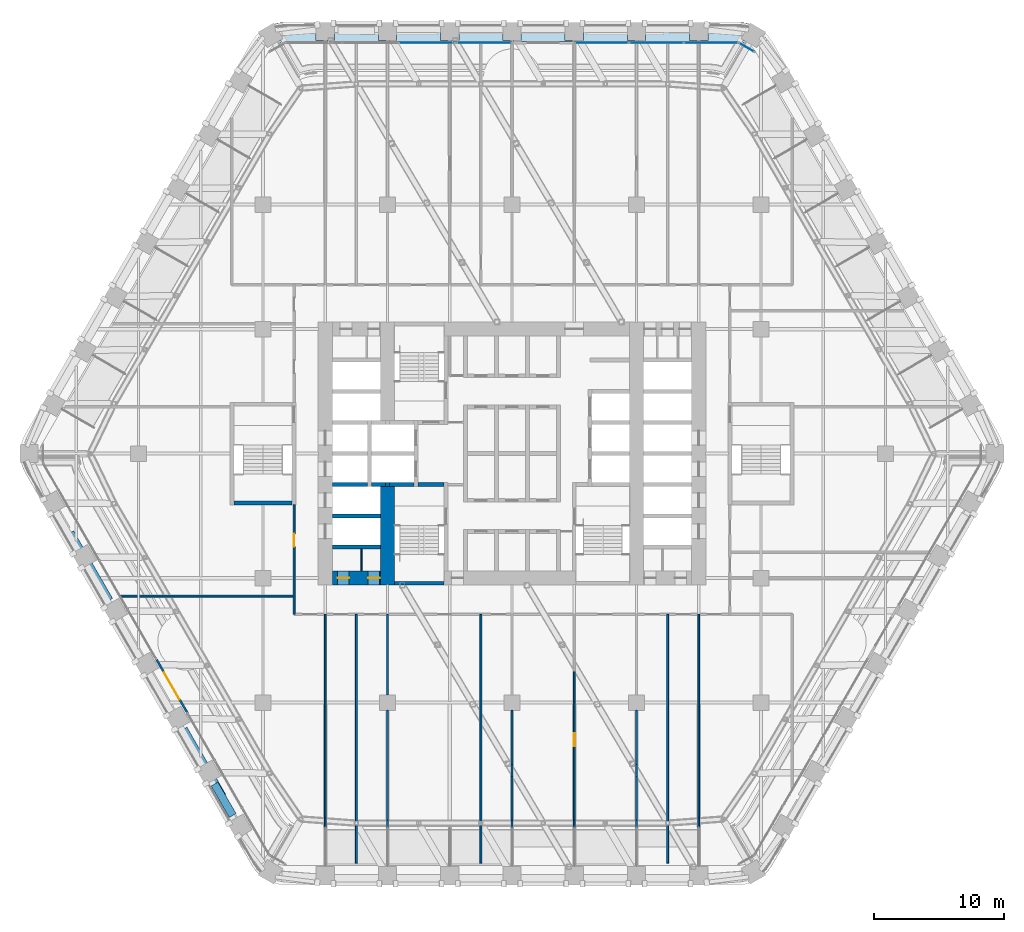
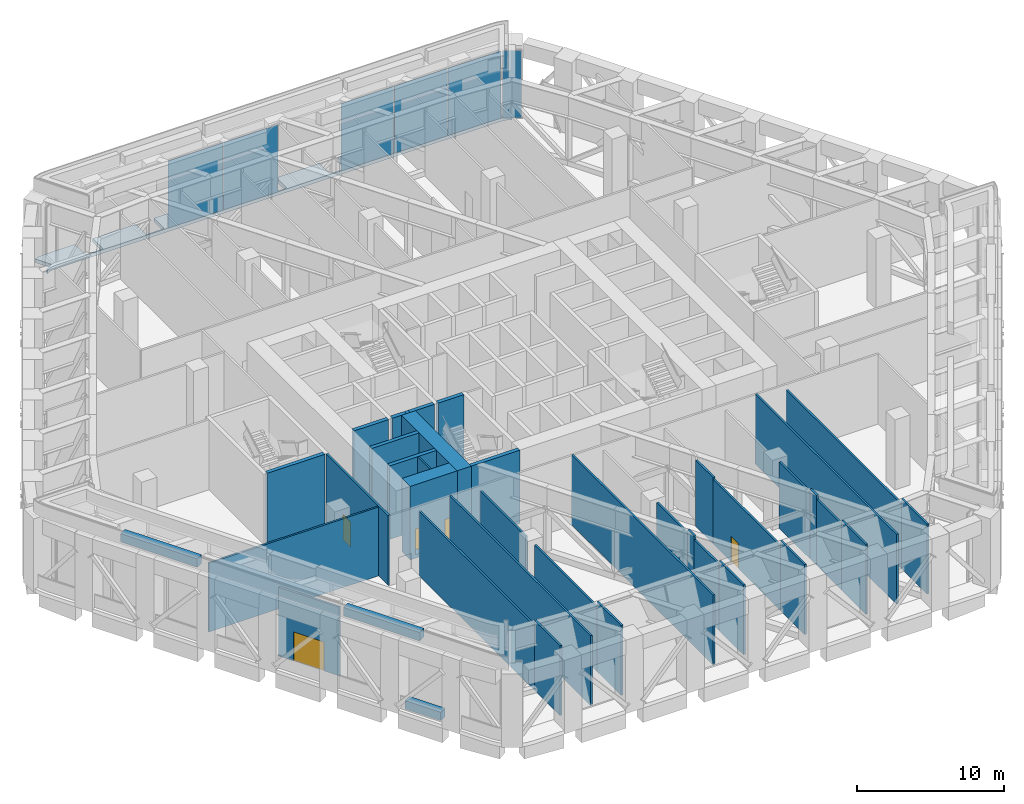
# One storey, part 18 of 35: 39 walls, 6 plates, 5 doors, 1 slab, 5 openings, 3 elements without a shape of their own.
"""IFC4 building model written with IfcOpenShell, lengths in metres."""

import ifcopenshell
import ifcopenshell.guid

model = None  # the IFC model being written
_history = None  # IfcOwnerHistory: only IFC2X3 demands one
_inside = {}  # id of a spatial element -> (the spatial element, [elements in it])
_under = {}  # id of a project, library or spatial element -> (it, [spatial elements below it])
_declared = {}  # id of a project -> (the project, [libraries it declares])
_typed = {}  # id of a type object -> (the type object, [elements of that type])
_made_of = {}  # id of a material, layer set ... -> (it, [elements and type objects made of it])


def new_model(schema):
    """Start an empty IFC model of exactly this schema.

    Asked for "IFC4X3", IfcOpenShell would pick the latest addendum, in which some entities
    have other attributes; the version numbers below select the first issue.
    IFC2X3 requires an IfcOwnerHistory on every rooted entity: one is made here for all.
    """
    global model, _history
    if schema == "IFC4X3":
        model = ifcopenshell.file(schema_version=(4, 3, 0, 0))
    else:
        model = ifcopenshell.file(schema=schema)
    _inside.clear()
    _under.clear()
    _declared.clear()
    _typed.clear()
    _made_of.clear()
    _history = None
    if model.schema == "IFC2X3":
        org = make("IfcOrganization", Name="unknown")
        user = make(
            "IfcPersonAndOrganization",
            ThePerson=make("IfcPerson", FamilyName="unknown"),
            TheOrganization=org,
        )
        app = make(
            "IfcApplication",
            ApplicationDeveloper=org,
            Version="unknown",
            ApplicationFullName="unknown",
            ApplicationIdentifier="unknown",
        )
        _history = make(
            "IfcOwnerHistory",
            OwningUser=user,
            OwningApplication=app,
            ChangeAction="ADDED",
            CreationDate=0,
        )
    return model


def make(cls, **values):
    """One entity of the class cls with the attributes given. An attribute that is None is left unset."""
    return model.create_entity(
        cls, **{name: value for name, value in values.items() if value is not None}
    )


def rooted(cls, **values):
    """An entity with a GlobalId (a new one), such as an element, a storey or a relation."""
    return make(cls, GlobalId=ifcopenshell.guid.new(), OwnerHistory=_history, **values)


def si_unit(unit_type, name, prefix=None):
    """IfcSIUnit, for example si_unit("LENGTHUNIT", "METRE", prefix="MILLI")."""
    return make("IfcSIUnit", UnitType=unit_type, Prefix=prefix, Name=name)


def assignment(units):
    """IfcUnitAssignment: the units of a project."""
    return None if units is None else make("IfcUnitAssignment", Units=units)


def point(xyz):
    """IfcCartesianPoint."""
    return None if xyz is None else make("IfcCartesianPoint", Coordinates=xyz)


def direction(xyz):
    """IfcDirection."""
    return None if xyz is None else make("IfcDirection", DirectionRatios=xyz)


def frame(location, z_axis=None, x_axis=None):
    """IfcAxis2Placement3D, a coordinate frame: its origin and axes. An axis left out is left unset."""
    return make(
        "IfcAxis2Placement3D",
        Location=point(location),
        Axis=direction(z_axis),
        RefDirection=direction(x_axis),
    )


def frame_2d(location, x_axis=None):
    """IfcAxis2Placement2D, a coordinate frame in the plane: its origin and x axis."""
    return make(
        "IfcAxis2Placement2D", Location=point(location), RefDirection=direction(x_axis)
    )


def origin():
    """The frame at (0, 0, 0) with its axes left unset."""
    return frame((0.0, 0.0, 0.0))


def origin_2d():
    """The frame at (0, 0) in the plane with its x axis left unset."""
    return frame_2d((0.0, 0.0))


def place(relative_to, where):
    """IfcLocalPlacement: puts the frame where relative to a parent placement (None: the world)."""
    return make(
        "IfcLocalPlacement", PlacementRelTo=relative_to, RelativePlacement=where
    )


def context(
    kind, dimensions, precision=None, world=None, true_north=None, identifier=None
):
    """IfcGeometricRepresentationContext, for example the 3D "Model" context."""
    return make(
        "IfcGeometricRepresentationContext",
        ContextIdentifier=identifier,
        ContextType=kind,
        CoordinateSpaceDimension=dimensions,
        Precision=precision,
        WorldCoordinateSystem=world,
        TrueNorth=true_north,
    )


def subcontext(parent, identifier, kind, view, scale=None):
    """IfcGeometricRepresentationSubContext, for example "Body" below "Model"."""
    return make(
        "IfcGeometricRepresentationSubContext",
        ContextIdentifier=identifier,
        ContextType=kind,
        ParentContext=parent,
        TargetScale=scale,
        TargetView=view,
    )


def project(units=None, contexts=None):
    """IfcProject with its units and contexts."""
    return rooted(
        "IfcProject",
        Name="project",
        RepresentationContexts=contexts,
        UnitsInContext=assignment(units),
    )


def spatial(cls, under=None, at=None, **own):
    """A site, building, storey or space (cls), placed at a placement, below another one or the project."""
    s = rooted(cls, ObjectPlacement=at, **own)
    if under is not None:
        _under.setdefault(under.id(), (under, []))[1].append(s)
    return s


def polyline(points):
    """IfcPolyline through the points."""
    return make("IfcPolyline", Points=[point(p) for p in points])


def profile(cls, at=None, kind="AREA", **sizes):
    """A parametric profile (cls). Its sizes go by their IFC names, for example OverallWidth=200.0."""
    return make(cls, ProfileType=kind, Position=at, **sizes)


def rectangle(**sizes):
    """IfcRectangleProfileDef."""
    return profile("IfcRectangleProfileDef", **sizes)


def outline(outer, holes=None, kind="AREA"):
    """IfcArbitraryClosedProfileDef: a profile drawn as a closed curve; with holes, ...WithVoids."""
    if holes is None:
        return make("IfcArbitraryClosedProfileDef", ProfileType=kind, OuterCurve=outer)
    return make(
        "IfcArbitraryProfileDefWithVoids",
        ProfileType=kind,
        OuterCurve=outer,
        InnerCurves=holes,
    )


def extrude(swept, where, along, depth):
    """IfcExtrudedAreaSolid: the profile swept, set in the frame where, extruded along a direction by depth."""
    return make(
        "IfcExtrudedAreaSolid",
        SweptArea=swept,
        Position=where,
        ExtrudedDirection=direction(along),
        Depth=depth,
    )


def shape(context_of_items, identifier, shape_type, items):
    """IfcShapeRepresentation: the items that make up one representation, for example the "Body"."""
    return make(
        "IfcShapeRepresentation",
        ContextOfItems=context_of_items,
        RepresentationIdentifier=identifier,
        RepresentationType=shape_type,
        Items=items,
    )


def material(Name=None, Category=None):
    """IfcMaterial."""
    return make("IfcMaterial", Name=Name, Category=Category)


def layer(
    of_material, thickness, ventilated=None, Name=None, Category=None, Priority=None
):
    """IfcMaterialLayer: one layer of a wall or slab, of a material (None: an air gap)."""
    return make(
        "IfcMaterialLayer",
        Material=of_material,
        LayerThickness=thickness,
        IsVentilated=ventilated,
        Name=Name,
        Category=Category,
        Priority=Priority,
    )


def layer_set(layers, Name=None):
    """IfcMaterialLayerSet."""
    return make("IfcMaterialLayerSet", MaterialLayers=layers, LayerSetName=Name)


def made_of(thing, what):
    """Note that an element or type object is made of a material, layer set ...; save() writes the relation."""
    if what is not None:
        _made_of.setdefault(what.id(), (what, []))[1].append(thing)
    return thing


def type_object(cls, material=None, **own):
    """A type object (cls), such as IfcWallType, which elements share."""
    return made_of(rooted(cls, **own), material)


def element(
    cls,
    number,
    at=None,
    inside=None,
    cuts=None,
    type_object=None,
    material=None,
    context=None,
    identifier="Body",
    shape_type=None,
    held_by="IfcProductDefinitionShape",
    body=None,
    shapes=None,
    **own,
):
    """One element of the class cls, such as IfcWall. Its Tag is "e" and its number.

    at: its placement. inside: the storey or other place that contains it. cuts: it is an
    opening in that element (IfcRelVoidsElement). A single representation is given by context,
    identifier, shape_type and body (its items); several are given by shapes. held_by: the class
    of the entity that holds the representations. save() writes the other relations.
    """
    e = rooted(cls, Tag="e%d" % number, ObjectPlacement=at, **own)
    if body is not None:
        shapes = [shape(context, identifier, shape_type, body)]
    if shapes is not None:
        e.Representation = make(held_by, Representations=shapes)
    if inside is not None:
        _inside.setdefault(inside.id(), (inside, []))[1].append(e)
    if cuts is not None:
        rooted(
            "IfcRelVoidsElement", RelatingBuildingElement=cuts, RelatedOpeningElement=e
        )
    if type_object is not None:
        _typed.setdefault(type_object.id(), (type_object, []))[1].append(e)
    return made_of(e, material)


def fill(opening, filler):
    """IfcRelFillsElement: the door or window that sits in an opening."""
    return rooted(
        "IfcRelFillsElement",
        RelatingOpeningElement=opening,
        RelatedBuildingElement=filler,
    )


def aggregate(whole, parts):
    """IfcRelAggregates: a whole, such as a stair, and the parts it consists of."""
    return rooted("IfcRelAggregates", RelatingObject=whole, RelatedObjects=parts)


def save(model, path):
    """Write the relations noted so far, then the file.

    IfcRelAggregates (storeys below a building ...), IfcRelContainedInSpatialStructure (elements
    in a storey), IfcRelDefinesByType, IfcRelAssociatesMaterial and IfcRelDeclares: one each for
    every whole, place, type object, material and project.
    """
    for whole, parts in _under.values():
        aggregate(whole, parts)
    for where, things in _inside.values():
        rooted(
            "IfcRelContainedInSpatialStructure",
            RelatedElements=things,
            RelatingStructure=where,
        )
    for kind, things in _typed.values():
        rooted("IfcRelDefinesByType", RelatedObjects=things, RelatingType=kind)
    for what, things in _made_of.values():
        rooted("IfcRelAssociatesMaterial", RelatedObjects=things, RelatingMaterial=what)
    for by, libraries in _declared.values():
        rooted("IfcRelDeclares", RelatingContext=by, RelatedDefinitions=libraries)
    model.write(path)


model = new_model("IFC4")

# Units and contexts
model_context = context("Model", 3, precision=1e-05, world=origin(), true_north=direction((0.0, 1.0)))
body_context = subcontext(model_context, "Body", "Model", "MODEL_VIEW")
ifc_project = project(units=[si_unit("LENGTHUNIT", "METRE"), si_unit("AREAUNIT", "SQUARE_METRE"), si_unit("VOLUMEUNIT", "CUBIC_METRE"), si_unit("PLANEANGLEUNIT", "RADIAN"), si_unit("MASSUNIT", "GRAM", prefix="KILO")], contexts=[model_context])

# Site, building, storey
site_placement = place(None, origin())
site = spatial("IfcSite", under=ifc_project, at=site_placement, CompositionType="ELEMENT")
building_placement = place(site_placement, origin())
building = spatial("IfcBuilding", under=site, at=building_placement, Name="Kolab Exchange Tower", CompositionType="ELEMENT")
storey_placement = place(building_placement, frame((0.0, 0.0, 71.89990234375)))
storey = spatial("IfcBuildingStorey", under=building, at=storey_placement, Name="L13", CompositionType="ELEMENT", Elevation=71.89990234375)

# Slab
ifc_material_1 = material(Name="Concrete C35/45", Category="concrete")
ifc_layer_1 = layer(ifc_material_1, 0.300048828125)
ifc_layer_set_1 = layer_set([ifc_layer_1], Name="Concrete C35/45")
slab_type = type_object("IfcSlabType", Name="LOGGIA SLAB 300", PredefinedType="FLOOR", material=ifc_layer_set_1)
slab_placement = place(storey_placement, frame((0.0, 0.0, -0.2998046875)))
element("IfcSlab", 1, at=slab_placement, inside=storey, type_object=slab_type, Name="slab/L13/loggia/0-0", PredefinedType="FLOOR", context=body_context, shape_type="SweptSolid", body=[
    extrude(outline(polyline([(18.218017578125, 31.554443359375), (18.26806640625, 31.64111328125), (17.66162109375, 31.990966796875), (18.31494140625, 33.122314453125), (17.989013671875, 33.209716796875), (17.468017578125, 33.25537109375), (15.10009765625, 33.25537109375), (15.10009765625, 31.85546875), (13.699951171875, 31.85546875), (13.699951171875, 33.25537109375), (10.300048828125, 33.25537109375), (10.300048828125, 31.85546875), (8.89990234375, 31.85546875), (8.89990234375, 33.25537109375), (5.5, 33.25537109375), (5.5, 31.85546875), (4.10009765625, 31.85546875), (4.10009765625, 33.25537109375), (0.699951171875, 33.25537109375), (0.699951171875, 31.85546875), (-0.699951171875, 31.85546875), (-0.699951171875, 33.25537109375), (-4.10009765625, 33.25537109375), (-4.10009765625, 31.85546875), (-5.5, 31.85546875), (-5.5, 33.25537109375), (-8.89990234375, 33.25537109375), (-8.89990234375, 31.85546875), (-10.300048828125, 31.85546875), (-10.300048828125, 33.25537109375), (-13.699951171875, 33.25537109375), (-13.699951171875, 31.85546875), (-15.10009765625, 31.85546875), (-15.10009765625, 33.25537109375), (-17.468017578125, 33.25537109375), (-17.989013671875, 33.209716796875), (-18.31494140625, 33.122314453125), (-17.66162109375, 31.990966796875), (-18.26806640625, 31.64111328125), (-18.218017578125, 31.554443359375), (-17.98095703125, 31.664794921875), (-17.728515625, 31.732666015625), (-17.468017578125, 31.75537109375), (17.468017578125, 31.75537109375), (17.728515625, 31.732666015625), (17.98095703125, 31.664794921875), (18.218017578125, 31.554443359375)])), origin(), (0.0, 0.0, 1.0), 0.2998046875),
])

# Curtain wall, plates
ifc_material_2 = material(Name="Aluminium EN AW-6063 T6", Category="aluminium")
curtain_wall_type = type_object("IfcCurtainWallType", Name="UNITISED LOW ZONE BELT CURTAIN WALL", PredefinedType="NOTDEFINED", material=ifc_material_2)
curtain_wall_1_placement = place(storey_placement, origin())
curtain_wall_1 = element("IfcCurtainWall", 2, at=curtain_wall_1_placement, inside=storey, type_object=curtain_wall_type, Name="cw/L13/F1-1", PredefinedType="NOTDEFINED")
ifc_layer_2 = layer(ifc_material_2, 0.02392578125)
ifc_layer_set_2 = layer_set([ifc_layer_2], Name="Aluminium EN AW-6063 T6")
plate_type = type_object("IfcPlateType", Name="UNITISED LOW ZONE BELT LOUVRE PANEL 24", PredefinedType="CURTAIN_PANEL", material=ifc_layer_set_2)
plate_1_placement = place(storey_placement, frame((-6.550537109375, 31.67529296875, 0.06005859375), z_axis=(0.0, 0.0, 1.0), x_axis=(1.0, 0.0, 0.0)))
plate_1 = element("IfcPlate", 3, at=plate_1_placement, type_object=plate_type, Name="CW9 panel 3.1", PredefinedType="CURTAIN_PANEL", context=body_context, shape_type="SweptSolid", body=[
    extrude(rectangle(XDim=4.306884765625, YDim=0.02392578125, at=origin_2d()), origin(), (0.0, 0.0, 1.0), 5.580078125),
])
plate_2_placement = place(storey_placement, frame((-2.198486328125, 31.67529296875, 0.06005859375), z_axis=(0.0, 0.0, 1.0), x_axis=(1.0, 0.0, 0.0)))
plate_2 = element("IfcPlate", 4, at=plate_2_placement, type_object=plate_type, Name="CW9 panel 4.1", PredefinedType="CURTAIN_PANEL", context=body_context, shape_type="SweptSolid", body=[
    extrude(rectangle(XDim=4.277099609375, YDim=0.02392578125, at=origin_2d()), origin(), (0.0, 0.0, 1.0), 5.580078125),
])
aggregate(curtain_wall_1, [plate_1, plate_2])

curtain_wall_2_placement = place(storey_placement, origin())
curtain_wall_2 = element("IfcCurtainWall", 5, at=curtain_wall_2_placement, inside=storey, type_object=curtain_wall_type, Name="cw/L13/F1-2", PredefinedType="NOTDEFINED")
plate_3_placement = place(storey_placement, frame((6.92626953125, 31.67529296875, 0.06005859375), z_axis=(0.0, 0.0, 1.0), x_axis=(1.0, 0.0, 0.0)))
plate_3 = element("IfcPlate", 6, at=plate_3_placement, type_object=plate_type, Name="CW9 panel 1.1", PredefinedType="CURTAIN_PANEL", context=body_context, shape_type="SweptSolid", body=[
    extrude(rectangle(XDim=4.132568359375, YDim=0.02392578125, at=origin_2d()), origin(), (0.0, 0.0, 1.0), 5.580078125),
])
plate_4_placement = place(storey_placement, frame((11.134033203125, 31.67529296875, 0.06005859375), z_axis=(0.0, 0.0, 1.0), x_axis=(1.0, 0.0, 0.0)))
plate_4 = element("IfcPlate", 7, at=plate_4_placement, type_object=plate_type, Name="CW9 panel 2.1", PredefinedType="CURTAIN_PANEL", context=body_context, shape_type="SweptSolid", body=[
    extrude(rectangle(XDim=4.16259765625, YDim=0.02392578125, at=origin_2d()), origin(), (0.0, 0.0, 1.0), 5.580078125),
])
plate_5_placement = place(storey_placement, frame((15.341552734375, 31.67529296875, 0.06005859375), z_axis=(0.0, 0.0, 1.0), x_axis=(1.0, 0.0, 0.0)))
plate_5 = element("IfcPlate", 8, at=plate_5_placement, type_object=plate_type, Name="CW9 panel 3.1", PredefinedType="CURTAIN_PANEL", context=body_context, shape_type="SweptSolid", body=[
    extrude(rectangle(XDim=4.132568359375, YDim=0.02392578125, at=origin_2d()), origin(), (0.0, 0.0, 1.0), 5.580078125),
])
aggregate(curtain_wall_2, [plate_3, plate_4, plate_5])

# Curtain wall, plate
curtain_wall_3_placement = place(storey_placement, origin())
curtain_wall_3 = element("IfcCurtainWall", 9, at=curtain_wall_3_placement, inside=storey, type_object=curtain_wall_type, Name="cw/L13/F1F2-corner", PredefinedType="NOTDEFINED")
plate_6_placement = place(storey_placement, frame((18.082763671875, 31.3203125, 0.06005859375), z_axis=(0.0, 0.0, 1.0), x_axis=(0.866025390869, -0.50000002237, 0.0)))
plate_6 = element("IfcPlate", 10, at=plate_6_placement, type_object=plate_type, Name="CW9 panel 1.1", PredefinedType="CURTAIN_PANEL", context=body_context, shape_type="SweptSolid", body=[
    extrude(rectangle(XDim=1.300048828125, YDim=0.02392578125, at=origin_2d()), origin(), (0.0, 0.0, 1.0), 5.580078125),
])
aggregate(curtain_wall_3, [plate_6])

# Wall, openings, doors
ifc_material_3 = material(Name="Concrete C80/95", Category="concrete")
ifc_layer_3 = layer(ifc_material_3, 1.10009765625)
ifc_layer_set_3 = layer_set([ifc_layer_3], Name="Concrete C80/95")
wall_type_1 = type_object("IfcWallType", Name="CORE WALL 1100 C80/95", PredefinedType="SHEAR", material=ifc_layer_set_3)
wall_1_placement = place(storey_placement, frame((-13.85009765625, -9.60009765625, -0.2998046875), z_axis=(0.0, 0.0, 1.0), x_axis=(1.0, 0.0, 0.0)))
wall_1 = element("IfcWall", 11, at=wall_1_placement, inside=storey, type_object=wall_type_1, Name="wall/L13/core/002", PredefinedType="SHEAR", context=body_context, shape_type="SweptSolid", body=[
    extrude(rectangle(XDim=3.7001953125, YDim=1.10009765625, at=frame_2d((1.85009765625, 0.0))), origin(), (0.0, 0.0, 1.0), 6.099853515625),
])
opening_1_placement = place(wall_1_placement, frame((0.39990234375, 0.0, 0.300048828125)))
opening_1 = element("IfcOpeningElement", 12, at=opening_1_placement, cuts=wall_1, Name="Opening D6-186", PredefinedType="OPENING", context=body_context, shape_type="SweptSolid", body=[
    extrude(rectangle(XDim=0.89990234375, YDim=2.10009765625, at=frame_2d((0.449951171875, 1.050048828125))), frame((0.0, 0.56005859375, 0.0), z_axis=(0.0, -1.0, 0.0), x_axis=(1.0, 0.0, 0.0)), (0.0, 0.0, 1.0), 1.1201171875),
])
opening_2_placement = place(wall_1_placement, frame((2.75, 0.0, 0.300048828125)))
opening_2 = element("IfcOpeningElement", 13, at=opening_2_placement, cuts=wall_1, Name="Opening D6-187", PredefinedType="OPENING", context=body_context, shape_type="SweptSolid", body=[
    extrude(rectangle(XDim=0.89990234375, YDim=2.10009765625, at=frame_2d((0.449951171875, 1.050048828125))), frame((0.0, 0.56005859375, 0.0), z_axis=(0.0, -1.0, 0.0), x_axis=(1.0, 0.0, 0.0)), (0.0, 0.0, 1.0), 1.1201171875),
])
ifc_material_4 = material(Name="Steel S235", Category="steel")
door_type_1 = type_object("IfcDoorType", Name="CORE DOOR 900 EI 120", OperationType="SINGLE_SWING_LEFT", PredefinedType="DOOR", material=ifc_material_4)
door_1_placement = place(opening_1_placement, origin())
door_1 = element("IfcDoor", 14, at=door_1_placement, inside=storey, type_object=door_type_1, Name="Service room door", OperationType="SINGLE_SWING_LEFT", OverallHeight=2.10009765625, OverallWidth=0.89990234375, PredefinedType="DOOR", context=body_context, shape_type="SweptSolid", body=[
    extrude(rectangle(XDim=0.89990234375, YDim=2.10009765625, at=frame_2d((0.449951171875, 1.050048828125))), frame((0.0, 0.02490234375, 0.0), z_axis=(0.0, -1.0, 0.0), x_axis=(1.0, 0.0, 0.0)), (0.0, 0.0, 1.0), 0.050048828125),
])
fill(opening_1, door_1)
door_2_placement = place(opening_2_placement, origin())
door_2 = element("IfcDoor", 15, at=door_2_placement, inside=storey, type_object=door_type_1, Name="Service room door", OperationType="SINGLE_SWING_LEFT", OverallHeight=2.10009765625, OverallWidth=0.89990234375, PredefinedType="DOOR", context=body_context, shape_type="SweptSolid", body=[
    extrude(rectangle(XDim=0.89990234375, YDim=2.10009765625, at=frame_2d((0.449951171875, 1.050048828125))), frame((0.0, 0.02490234375, 0.0), z_axis=(0.0, -1.0, 0.0), x_axis=(1.0, 0.0, 0.0)), (0.0, 0.0, 1.0), 0.050048828125),
])
fill(opening_2, door_2)

# Wall
wall_2_placement = place(storey_placement, frame((-9.60009765625, -10.14990234375, -0.2998046875), z_axis=(0.0, 0.0, 1.0), x_axis=(0.0, 1.0, 0.0)))
element("IfcWall", 16, at=wall_2_placement, inside=storey, type_object=wall_type_1, Name="wall/L13/core/059", PredefinedType="SHEAR", context=body_context, shape_type="SweptSolid", body=[
    extrude(rectangle(XDim=7.599853515625, YDim=1.10009765625, at=frame_2d((3.7998046875, 0.0))), origin(), (0.0, 0.0, 1.0), 6.099853515625),
])

# Wall, opening, door
ifc_layer_4 = layer(ifc_material_2, 0.159912109375)
ifc_layer_set_4 = layer_set([ifc_layer_4], Name="Aluminium EN AW-6063 T6")
wall_type_2 = type_object("IfcWallType", Name="DOOR SURROUND WALL 160 ALUMINIUM FRAMED", PredefinedType="PARTITIONING", material=ifc_layer_set_4)
wall_3_placement = place(storey_placement, frame((-25.046630859375, -19.96875, 0.0), z_axis=(0.0, 0.0, 1.0), x_axis=(-0.5000167099, 0.866015756104, 0.0)))
wall_3 = element("IfcWall", 17, at=wall_3_placement, inside=storey, type_object=wall_type_2, Name="Door surround wall", PredefinedType="PARTITIONING", context=body_context, shape_type="SweptSolid", body=[
    extrude(rectangle(XDim=4.739990234375, YDim=0.159912109375, at=frame_2d((2.3701171875, 0.0))), origin(), (0.0, 0.0, 1.0), 5.7001953125),
])
opening_3_placement = place(wall_3_placement, frame((1.169921875, 0.0, 0.0)))
opening_3 = element("IfcOpeningElement", 18, at=opening_3_placement, cuts=wall_3, Name="Opening GD1-033", PredefinedType="OPENING", context=body_context, shape_type="SweptSolid", body=[
    extrude(rectangle(XDim=2.39990234375, YDim=2.39990234375, at=frame_2d((1.199951171875, 1.199951171875))), frame((0.0, 0.08984375, 0.0), z_axis=(0.0, -1.0, 0.0), x_axis=(1.0, 0.0, 0.0)), (0.0, 0.0, 1.0), 0.179931640625),
])
door_type_2 = type_object("IfcDoorType", Name="LOGGIA SLIDING GLASS DOOR 2400 X 2400", OperationType="DOUBLE_DOOR_SINGLE_SWING", PredefinedType="DOOR", material=ifc_material_2)
door_3_placement = place(opening_3_placement, origin())
door_3 = element("IfcDoor", 19, at=door_3_placement, inside=storey, type_object=door_type_2, Name="Loggia door", OperationType="DOUBLE_DOOR_SLIDING", OverallHeight=2.39990234375, OverallWidth=2.39990234375, PredefinedType="DOOR", context=body_context, shape_type="SweptSolid", body=[
    extrude(rectangle(XDim=2.39990234375, YDim=2.39990234375, at=frame_2d((1.199951171875, 1.199951171875))), frame((0.0, 0.02490234375, 0.0), z_axis=(0.0, -1.0, 0.0), x_axis=(1.0, 0.0, 0.0)), (0.0, 0.0, 1.0), 0.050048828125),
])
fill(opening_3, door_3)

# Walls
ifc_material_5 = material(Name="Concrete C50/60", Category="concrete")
ifc_layer_5 = layer(ifc_material_5, 0.300048828125)
ifc_layer_set_5 = layer_set([ifc_layer_5], Name="Concrete C50/60")
wall_type_3 = type_object("IfcWallType", Name="LIFT SHAFT WALL 300 C50/60", PredefinedType="STANDARD", material=ifc_layer_set_5)
for number, where, z_axis, x_axis, name in (
    (20, (-13.85009765625, -7.199951171875, -0.2998046875), (0.0, 0.0, 1.0), (1.0, 0.0, 0.0), "wall/L13/core/005"),
    (21, (-13.85009765625, -4.800048828125, -0.2998046875), (0.0, 0.0, 1.0), (1.0, 0.0, 0.0), "wall/L13/core/010"),
):
    element("IfcWall", number, at=place(storey_placement, frame(where, z_axis=z_axis, x_axis=x_axis)), inside=storey, type_object=wall_type_3, Name=name, PredefinedType="STANDARD", context=body_context, shape_type="SweptSolid", body=[
        extrude(rectangle(XDim=3.7001953125, YDim=0.300048828125, at=frame_2d((1.85009765625, 0.0))), origin(), (0.0, 0.0, 1.0), 6.099853515625),
    ])
wall_4_placement = place(storey_placement, frame((-13.85009765625, -2.39990234375, -0.2998046875), z_axis=(0.0, 0.0, 1.0), x_axis=(1.0, 0.0, 0.0)))
element("IfcWall", 22, at=wall_4_placement, inside=storey, type_object=wall_type_3, Name="wall/L13/core/017", PredefinedType="STANDARD", context=body_context, shape_type="SweptSolid", body=[
    extrude(rectangle(XDim=2.7001953125, YDim=0.300048828125, at=frame_2d((1.35009765625, 0.0))), origin(), (0.0, 0.0, 1.0), 6.099853515625),
])
wall_5_placement = place(storey_placement, frame((-10.85009765625, -2.39990234375, -0.2998046875), z_axis=(0.0, 0.0, 1.0), x_axis=(1.0, 0.0, 0.0)))
element("IfcWall", 23, at=wall_5_placement, inside=storey, type_object=wall_type_3, Name="wall/L13/core/018", PredefinedType="STANDARD", context=body_context, shape_type="SweptSolid", body=[
    extrude(rectangle(XDim=1.10009765625, YDim=0.300048828125, at=frame_2d((0.550048828125, 0.0))), origin(), (0.0, 0.0, 1.0), 6.099853515625),
])
ifc_material_6 = material(Name="Gypsum board", Category="gypsum")
ifc_layer_6 = layer(ifc_material_6, 0.10009765625)
ifc_layer_set_6 = layer_set([ifc_layer_6], Name="Gypsum board")
wall_type_4 = type_object("IfcWallType", Name="PARTITION 100", PredefinedType="PARTITIONING", material=ifc_layer_set_6)
wall_6_placement = place(storey_placement, frame((-11.60009765625, -9.050048828125, 0.0), z_axis=(0.0, 0.0, 1.0), x_axis=(0.0, 1.0, 0.0)))
element("IfcWall", 24, at=wall_6_placement, inside=storey, type_object=wall_type_4, Name="Partition 030", PredefinedType="PARTITIONING", context=body_context, shape_type="SweptSolid", body=[
    extrude(rectangle(XDim=1.699951171875, YDim=0.10009765625, at=frame_2d((0.85009765625, 0.0))), origin(), (0.0, 0.0, 1.0), 5.800048828125),
])
ifc_layer_7 = layer(ifc_material_6, 0.14990234375)
ifc_layer_set_7 = layer_set([ifc_layer_7], Name="Gypsum board")
wall_type_5 = type_object("IfcWallType", Name="PARTITION 150 FIRE-RATED", PredefinedType="PARTITIONING", material=ifc_layer_set_7)
wall_7_placement = place(storey_placement, frame((14.39990234375, -28.10693359375, 0.0), z_axis=(0.0, 0.0, 1.0), x_axis=(0.0, 1.0, 0.0)))
element("IfcWall", 25, at=wall_7_placement, inside=storey, type_object=wall_type_5, Name="Partition 004", PredefinedType="PARTITIONING", context=body_context, shape_type="SweptSolid", body=[
    extrude(rectangle(XDim=15.70703125, YDim=0.14990234375, at=frame_2d((7.853515625, 0.0))), origin(), (0.0, 0.0, 1.0), 5.343017578125),
])
wall_8_placement = place(storey_placement, frame((14.39990234375, -31.58544921875, 0.0), z_axis=(0.0, 0.0, 1.0), x_axis=(0.0, 1.0, 0.0)))
element("IfcWall", 26, at=wall_8_placement, inside=storey, type_object=wall_type_5, Name="Partition 004", PredefinedType="PARTITIONING", context=body_context, shape_type="SweptSolid", body=[
    extrude(rectangle(XDim=3.478515625, YDim=0.14990234375, at=frame_2d((1.7392578125, 0.0))), origin(), (0.0, 0.0, 1.0), 5.800048828125),
])
wall_9_placement = place(storey_placement, frame((12.0, -31.58544921875, 0.0), z_axis=(0.0, 0.0, 1.0), x_axis=(0.0, 1.0, 0.0)))
element("IfcWall", 27, at=wall_9_placement, inside=storey, type_object=wall_type_5, Name="Partition 007", PredefinedType="PARTITIONING", context=body_context, shape_type="SweptSolid", body=[
    extrude(rectangle(XDim=19.185546875, YDim=0.14990234375, at=frame_2d((9.5927734375, 0.0))), origin(), (0.0, 0.0, 1.0), 5.800048828125),
])
wall_10_placement = place(storey_placement, frame((9.60009765625, -23.990478515625, 0.0), z_axis=(0.0, 0.0, 1.0), x_axis=(0.0, 1.0, 0.0)))
element("IfcWall", 28, at=wall_10_placement, inside=storey, type_object=wall_type_5, Name="Partition 011", PredefinedType="PARTITIONING", context=body_context, shape_type="SweptSolid", body=[
    extrude(rectangle(XDim=4.1904296875, YDim=0.14990234375, at=frame_2d((2.09521484375, 0.0))), origin(), (0.0, 0.0, 1.0), 5.489990234375),
])
wall_11_placement = place(storey_placement, frame((9.60009765625, -31.58544921875, 0.0), z_axis=(0.0, 0.0, 1.0), x_axis=(0.0, 1.0, 0.0)))
element("IfcWall", 29, at=wall_11_placement, inside=storey, type_object=wall_type_5, Name="Partition 011", PredefinedType="PARTITIONING", context=body_context, shape_type="SweptSolid", body=[
    extrude(rectangle(XDim=3.296875, YDim=0.14990234375, at=frame_2d((1.6484375, 0.0))), origin(), (0.0, 0.0, 1.0), 5.800048828125),
])
wall_12_placement = place(storey_placement, frame((9.60009765625, -28.28857421875, 0.0), z_axis=(0.0, 0.0, 1.0), x_axis=(0.0, 1.0, 0.0)))
element("IfcWall", 30, at=wall_12_placement, inside=storey, type_object=wall_type_5, Name="Partition 011", PredefinedType="PARTITIONING", context=body_context, shape_type="SweptSolid", body=[
    extrude(rectangle(XDim=3.39599609375, YDim=0.14990234375, at=frame_2d((1.697998046875, 0.0))), origin(), (0.0, 0.0, 1.0), 5.489990234375),
])
wall_13_placement = place(storey_placement, frame((9.60009765625, -24.892578125, 0.0), z_axis=(0.0, 0.0, 1.0), x_axis=(0.0, 1.0, 0.0)))
element("IfcWall", 31, at=wall_13_placement, inside=storey, type_object=wall_type_5, Name="Partition 011", PredefinedType="PARTITIONING", context=body_context, shape_type="SweptSolid", body=[
    extrude(rectangle(XDim=0.902099609375, YDim=0.14990234375, at=frame_2d((0.451171875, 0.0))), origin(), (0.0, 0.0, 1.0), 5.800048828125),
])

# Wall, opening, door
wall_14_placement = place(storey_placement, frame((4.800048828125, -28.28857421875, 0.0), z_axis=(0.0, 0.0, 1.0), x_axis=(0.0, 1.0, 0.0)))
wall_14 = element("IfcWall", 32, at=wall_14_placement, inside=storey, type_object=wall_type_5, Name="Partition 015", PredefinedType="PARTITIONING", context=body_context, shape_type="SweptSolid", body=[
    extrude(rectangle(XDim=9.16259765625, YDim=0.14990234375, at=frame_2d((4.581298828125, 0.0))), origin(), (0.0, 0.0, 1.0), 5.343017578125),
])
opening_4_placement = place(wall_14_placement, frame((5.710693359375, 0.0, 0.0)))
opening_4 = element("IfcOpeningElement", 33, at=opening_4_placement, cuts=wall_14, Name="Opening D1-187", PredefinedType="OPENING", context=body_context, shape_type="SweptSolid", body=[
    extrude(rectangle(XDim=1.0, YDim=2.10009765625, at=frame_2d((0.5, 1.050048828125))), frame((0.0, 0.0849609375, 0.0), z_axis=(0.0, -1.0, 0.0), x_axis=(1.0, 0.0, 0.0)), (0.0, 0.0, 1.0), 0.169921875),
])
door_type_3 = type_object("IfcDoorType", Name="FLUSH DOOR 1000 FD60", OperationType="SINGLE_SWING_LEFT", PredefinedType="DOOR", material=ifc_material_4)
door_4_placement = place(opening_4_placement, origin())
door_4 = element("IfcDoor", 34, at=door_4_placement, inside=storey, type_object=door_type_3, Name="Door L13-066", OperationType="SINGLE_SWING_LEFT", OverallHeight=2.10009765625, OverallWidth=1.0, PredefinedType="DOOR", context=body_context, shape_type="SweptSolid", body=[
    extrude(rectangle(XDim=1.0, YDim=2.10009765625, at=frame_2d((0.5, 1.050048828125))), frame((0.0, 0.02490234375, 0.0), z_axis=(0.0, -1.0, 0.0), x_axis=(1.0, 0.0, 0.0)), (0.0, 0.0, 1.0), 0.050048828125),
])
fill(opening_4, door_4)

# Walls
wall_15_placement = place(storey_placement, frame((4.800048828125, -31.58544921875, 0.0), z_axis=(0.0, 0.0, 1.0), x_axis=(0.0, 1.0, 0.0)))
element("IfcWall", 35, at=wall_15_placement, inside=storey, type_object=wall_type_5, Name="Partition 015", PredefinedType="PARTITIONING", context=body_context, shape_type="SweptSolid", body=[
    extrude(rectangle(XDim=3.296875, YDim=0.14990234375, at=frame_2d((1.6484375, 0.0))), origin(), (0.0, 0.0, 1.0), 5.800048828125),
])
wall_16_placement = place(storey_placement, frame((4.800048828125, -19.1259765625, 0.0), z_axis=(0.0, 0.0, 1.0), x_axis=(0.0, 1.0, 0.0)))
element("IfcWall", 36, at=wall_16_placement, inside=storey, type_object=wall_type_5, Name="Partition 015", PredefinedType="PARTITIONING", context=body_context, shape_type="SweptSolid", body=[
    extrude(rectangle(XDim=2.34716796875, YDim=0.14990234375, at=frame_2d((1.173583984375, 0.0))), origin(), (0.0, 0.0, 1.0), 5.489990234375),
])
wall_17_placement = place(storey_placement, frame((0.0, -23.990478515625, 0.0), z_axis=(0.0, 0.0, 1.0), x_axis=(0.0, 1.0, 0.0)))
element("IfcWall", 37, at=wall_17_placement, inside=storey, type_object=wall_type_5, Name="Partition 017", PredefinedType="PARTITIONING", context=body_context, shape_type="SweptSolid", body=[
    extrude(rectangle(XDim=4.1904296875, YDim=0.14990234375, at=frame_2d((2.09521484375, 0.0))), origin(), (0.0, 0.0, 1.0), 5.489990234375),
])
wall_18_placement = place(storey_placement, frame((0.0, -31.58544921875, 0.0), z_axis=(0.0, 0.0, 1.0), x_axis=(0.0, 1.0, 0.0)))
element("IfcWall", 38, at=wall_18_placement, inside=storey, type_object=wall_type_5, Name="Partition 017", PredefinedType="PARTITIONING", context=body_context, shape_type="SweptSolid", body=[
    extrude(rectangle(XDim=3.296875, YDim=0.14990234375, at=frame_2d((1.6484375, 0.0))), origin(), (0.0, 0.0, 1.0), 5.800048828125),
])
wall_19_placement = place(storey_placement, frame((0.0, -28.28857421875, 0.0), z_axis=(0.0, 0.0, 1.0), x_axis=(0.0, 1.0, 0.0)))
element("IfcWall", 39, at=wall_19_placement, inside=storey, type_object=wall_type_5, Name="Partition 017", PredefinedType="PARTITIONING", context=body_context, shape_type="SweptSolid", body=[
    extrude(rectangle(XDim=3.39599609375, YDim=0.14990234375, at=frame_2d((1.697998046875, 0.0))), origin(), (0.0, 0.0, 1.0), 5.489990234375),
])
wall_20_placement = place(storey_placement, frame((0.0, -24.892578125, 0.0), z_axis=(0.0, 0.0, 1.0), x_axis=(0.0, 1.0, 0.0)))
element("IfcWall", 40, at=wall_20_placement, inside=storey, type_object=wall_type_5, Name="Partition 017", PredefinedType="PARTITIONING", context=body_context, shape_type="SweptSolid", body=[
    extrude(rectangle(XDim=0.902099609375, YDim=0.14990234375, at=frame_2d((0.451171875, 0.0))), origin(), (0.0, 0.0, 1.0), 5.800048828125),
])
wall_21_placement = place(storey_placement, frame((-2.39990234375, -31.58544921875, 0.0), z_axis=(0.0, 0.0, 1.0), x_axis=(0.0, 1.0, 0.0)))
element("IfcWall", 41, at=wall_21_placement, inside=storey, type_object=wall_type_5, Name="Partition 021", PredefinedType="PARTITIONING", context=body_context, shape_type="SweptSolid", body=[
    extrude(rectangle(XDim=19.185546875, YDim=0.14990234375, at=frame_2d((9.5927734375, 0.0))), origin(), (0.0, 0.0, 1.0), 5.800048828125),
])
wall_22_placement = place(storey_placement, frame((-9.60009765625, -28.28857421875, 0.0), z_axis=(0.0, 0.0, 1.0), x_axis=(0.0, 1.0, 0.0)))
element("IfcWall", 42, at=wall_22_placement, inside=storey, type_object=wall_type_5, Name="Partition 025", PredefinedType="PARTITIONING", context=body_context, shape_type="SweptSolid", body=[
    extrude(rectangle(XDim=8.488525390625, YDim=0.14990234375, at=frame_2d((4.244140625, 0.0))), origin(), (0.0, 0.0, 1.0), 5.343017578125),
])
wall_23_placement = place(storey_placement, frame((-9.60009765625, -31.58544921875, 0.0), z_axis=(0.0, 0.0, 1.0), x_axis=(0.0, 1.0, 0.0)))
element("IfcWall", 43, at=wall_23_placement, inside=storey, type_object=wall_type_5, Name="Partition 025", PredefinedType="PARTITIONING", context=body_context, shape_type="SweptSolid", body=[
    extrude(rectangle(XDim=3.296875, YDim=0.14990234375, at=frame_2d((1.6484375, 0.0))), origin(), (0.0, 0.0, 1.0), 5.800048828125),
])
wall_24_placement = place(storey_placement, frame((-9.60009765625, -18.60009765625, 0.0), z_axis=(0.0, 0.0, 1.0), x_axis=(0.0, 1.0, 0.0)))
element("IfcWall", 44, at=wall_24_placement, inside=storey, type_object=wall_type_5, Name="Partition 026", PredefinedType="PARTITIONING", context=body_context, shape_type="SweptSolid", body=[
    extrude(rectangle(XDim=6.2001953125, YDim=0.14990234375, at=frame_2d((3.10009765625, 0.0))), origin(), (0.0, 0.0, 1.0), 5.343017578125),
])
wall_25_placement = place(storey_placement, frame((-12.0, -31.58544921875, 0.0), z_axis=(0.0, 0.0, 1.0), x_axis=(0.0, 1.0, 0.0)))
element("IfcWall", 45, at=wall_25_placement, inside=storey, type_object=wall_type_5, Name="Partition 031", PredefinedType="PARTITIONING", context=body_context, shape_type="SweptSolid", body=[
    extrude(rectangle(XDim=19.185546875, YDim=0.14990234375, at=frame_2d((9.5927734375, 0.0))), origin(), (0.0, 0.0, 1.0), 5.800048828125),
])
wall_26_placement = place(storey_placement, frame((-14.39990234375, -28.10693359375, 0.0), z_axis=(0.0, 0.0, 1.0), x_axis=(0.0, 1.0, 0.0)))
element("IfcWall", 46, at=wall_26_placement, inside=storey, type_object=wall_type_5, Name="Partition 033", PredefinedType="PARTITIONING", context=body_context, shape_type="SweptSolid", body=[
    extrude(rectangle(XDim=15.70703125, YDim=0.14990234375, at=frame_2d((7.853515625, 0.0))), origin(), (0.0, 0.0, 1.0), 5.343017578125),
])
wall_27_placement = place(storey_placement, frame((-14.39990234375, -31.58544921875, 0.0), z_axis=(0.0, 0.0, 1.0), x_axis=(0.0, 1.0, 0.0)))
element("IfcWall", 47, at=wall_27_placement, inside=storey, type_object=wall_type_5, Name="Partition 033", PredefinedType="PARTITIONING", context=body_context, shape_type="SweptSolid", body=[
    extrude(rectangle(XDim=3.478515625, YDim=0.14990234375, at=frame_2d((1.7392578125, 0.0))), origin(), (0.0, 0.0, 1.0), 5.800048828125),
])

# Wall, opening, door
wall_28_placement = place(storey_placement, frame((-16.800048828125, -12.39990234375, 0.0), z_axis=(0.0, 0.0, 1.0), x_axis=(0.0, 1.0, 0.0)))
wall_28 = element("IfcWall", 48, at=wall_28_placement, inside=storey, type_object=wall_type_5, Name="Partition 035", PredefinedType="PARTITIONING", context=body_context, shape_type="SweptSolid", body=[
    extrude(rectangle(XDim=8.449951171875, YDim=0.14990234375, at=frame_2d((4.22509765625, 0.0))), origin(), (0.0, 0.0, 1.0), 5.800048828125),
])
opening_5_placement = place(wall_28_placement, frame((5.199951171875, 0.0, 0.0)))
opening_5 = element("IfcOpeningElement", 49, at=opening_5_placement, cuts=wall_28, Name="Opening D1-197", PredefinedType="OPENING", context=body_context, shape_type="SweptSolid", body=[
    extrude(rectangle(XDim=1.0, YDim=2.10009765625, at=frame_2d((0.5, 1.050048828125))), frame((0.0, 0.0849609375, 0.0), z_axis=(0.0, -1.0, 0.0), x_axis=(1.0, 0.0, 0.0)), (0.0, 0.0, 1.0), 0.169921875),
])
door_5_placement = place(opening_5_placement, origin())
door_5 = element("IfcDoor", 50, at=door_5_placement, inside=storey, type_object=door_type_3, Name="Door L13-076", OperationType="SINGLE_SWING_RIGHT", OverallHeight=2.10009765625, OverallWidth=1.0, PredefinedType="DOOR", context=body_context, shape_type="SweptSolid", body=[
    extrude(rectangle(XDim=1.0, YDim=2.10009765625, at=frame_2d((0.5, 1.050048828125))), frame((0.0, 0.02490234375, 0.0), z_axis=(0.0, -1.0, 0.0), x_axis=(1.0, 0.0, 0.0)), (0.0, 0.0, 1.0), 0.050048828125),
])
fill(opening_5, door_5)

# Walls
wall_29_placement = place(storey_placement, frame((-30.178466796875, -11.0, 0.0), z_axis=(0.0, 0.0, 1.0), x_axis=(1.0, 0.0, 0.0)))
element("IfcWall", 51, at=wall_29_placement, inside=storey, type_object=wall_type_5, Name="Partition 039", PredefinedType="PARTITIONING", context=body_context, shape_type="SweptSolid", body=[
    extrude(rectangle(XDim=13.37841796875, YDim=0.14990234375, at=frame_2d((6.689208984375, 0.0))), origin(), (0.0, 0.0, 1.0), 5.7001953125),
])
ifc_material_7 = material(Name="Granite facing", Category="masonry")
ifc_layer_8 = layer(ifc_material_7, 0.0400390625)
ifc_material_8 = material(Name="Concrete C40/50 precast", Category="concrete")
ifc_layer_9 = layer(ifc_material_8, 0.56005859375)
ifc_layer_set_8 = layer_set([ifc_layer_8, ifc_layer_9], Name="Concrete C40/50 precast")
wall_type_6 = type_object("IfcWallType", Name="PLANTER BOX 600 X 700 SOIL DEPTH 550", PredefinedType="USERDEFINED", material=ifc_layer_set_8)
wall_30_placement = place(storey_placement, frame((-21.537109375, -27.907470703125, 0.0), z_axis=(0.0, 0.0, 1.0), x_axis=(-0.49998411664, 0.866034573852, 0.0)))
element("IfcWall", 52, at=wall_30_placement, inside=storey, type_object=wall_type_6, Name="Planter", ObjectType="PLANTER", PredefinedType="USERDEFINED", context=body_context, shape_type="SweptSolid", body=[
    extrude(rectangle(XDim=2.7998046875, YDim=0.60009765625, at=frame_2d((1.39990234375, 0.0))), origin(), (0.0, 0.0, 1.0), 0.7001953125),
])
for number, where, z_axis, x_axis, name in (
    (53, (-22.326904296875, -26.439697265625, 6.0), (0.0, 0.0, 1.0), (-0.499990139034, 0.866031096941, 0.0), "Planter"),
    (54, (-31.060791015625, -11.31201171875, 6.0), (0.0, 0.0, 1.0), (-0.499990139034, 0.866031096941, 0.0), "Planter"),
):
    element("IfcWall", number, at=place(storey_placement, frame(where, z_axis=z_axis, x_axis=x_axis)), inside=storey, type_object=wall_type_6, Name=name, ObjectType="PLANTER", PredefinedType="USERDEFINED", context=body_context, shape_type="SweptSolid", body=[
        extrude(rectangle(XDim=6.0, YDim=0.60009765625, at=frame_2d((3.0, 0.0))), origin(), (0.0, 0.0, 1.0), 0.7001953125),
    ])
ifc_layer_10 = layer(ifc_material_5, 0.300048828125)
ifc_layer_set_9 = layer_set([ifc_layer_10], Name="Concrete C50/60")
wall_type_7 = type_object("IfcWallType", Name="STAIR ENCLOSURE WALL 300 C50/60", PredefinedType="STANDARD", material=ifc_layer_set_9)
wall_31_placement = place(storey_placement, frame((-9.050048828125, -10.0, -0.2998046875), z_axis=(0.0, 0.0, 1.0), x_axis=(1.0, 0.0, 0.0)))
element("IfcWall", 55, at=wall_31_placement, inside=storey, type_object=wall_type_7, Name="wall/L13/core/000", PredefinedType="STANDARD", context=body_context, shape_type="SweptSolid", body=[
    extrude(rectangle(XDim=3.800048828125, YDim=0.300048828125, at=frame_2d((1.89990234375, 0.0))), origin(), (0.0, 0.0, 1.0), 6.099853515625),
])
wall_32_placement = place(storey_placement, frame((-21.449951171875, -3.800048828125, -0.2998046875), z_axis=(0.0, 0.0, 1.0), x_axis=(1.0, 0.0, 0.0)))
element("IfcWall", 56, at=wall_32_placement, inside=storey, type_object=wall_type_7, Name="wall/L13/core/012", PredefinedType="STANDARD", context=body_context, shape_type="SweptSolid", body=[
    extrude(rectangle(XDim=4.5, YDim=0.300048828125, at=frame_2d((2.25, 0.0))), origin(), (0.0, 0.0, 1.0), 6.099853515625),
])
wall_33_placement = place(storey_placement, frame((-9.449951171875, -2.39990234375, -0.2998046875), z_axis=(0.0, 0.0, 1.0), x_axis=(1.0, 0.0, 0.0)))
element("IfcWall", 57, at=wall_33_placement, inside=storey, type_object=wall_type_7, Name="wall/L13/core/019", PredefinedType="STANDARD", context=body_context, shape_type="SweptSolid", body=[
    extrude(rectangle(XDim=1.89990234375, YDim=0.300048828125, at=frame_2d((0.949951171875, 0.0))), origin(), (0.0, 0.0, 1.0), 6.099853515625),
])
wall_34_placement = place(storey_placement, frame((-7.25, -2.39990234375, -0.2998046875), z_axis=(0.0, 0.0, 1.0), x_axis=(1.0, 0.0, 0.0)))
element("IfcWall", 58, at=wall_34_placement, inside=storey, type_object=wall_type_7, Name="wall/L13/core/020", PredefinedType="STANDARD", context=body_context, shape_type="SweptSolid", body=[
    extrude(rectangle(XDim=2.0, YDim=0.300048828125, at=frame_2d((1.0, 0.0))), origin(), (0.0, 0.0, 1.0), 6.099853515625),
])
wall_35_placement = place(storey_placement, frame((-9.60009765625, -2.550048828125, -0.2998046875), z_axis=(0.0, 0.0, 1.0), x_axis=(0.0, 1.0, 0.0)))
element("IfcWall", 59, at=wall_35_placement, inside=storey, type_object=wall_type_7, Name="wall/L13/core/060", PredefinedType="STANDARD", context=body_context, shape_type="SweptSolid", body=[
    extrude(rectangle(XDim=0.300048828125, YDim=0.300048828125, at=frame_2d((0.14990234375, 0.0))), origin(), (0.0, 0.0, 1.0), 6.099853515625),
])

save(model, "model.ifc")
